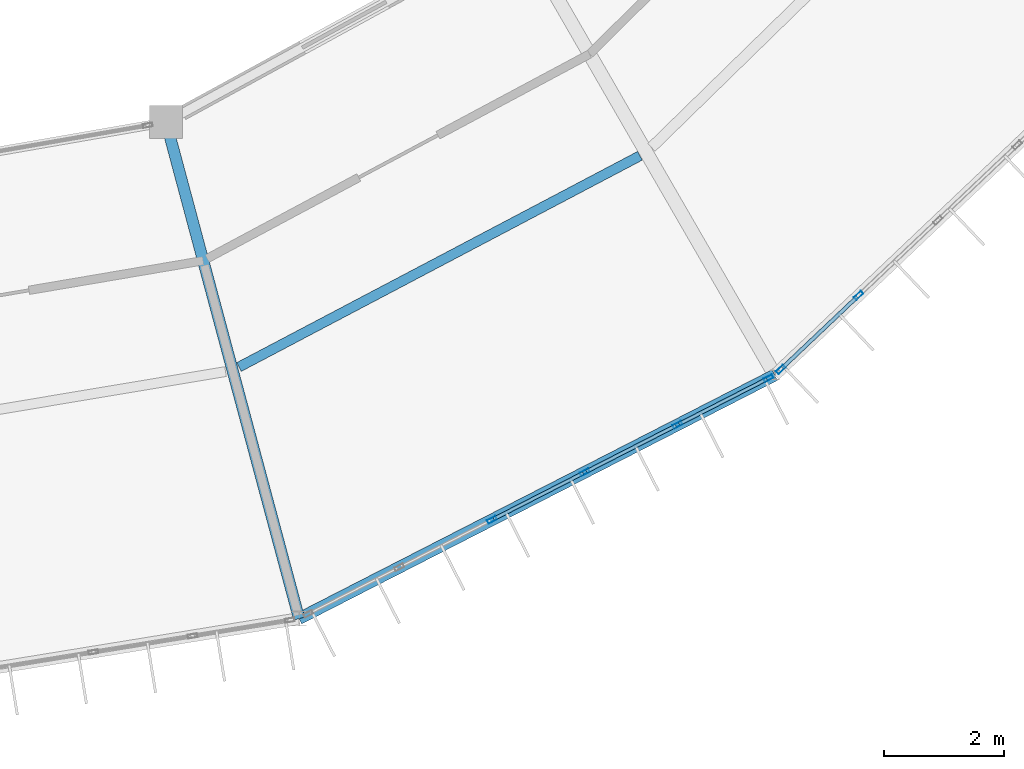
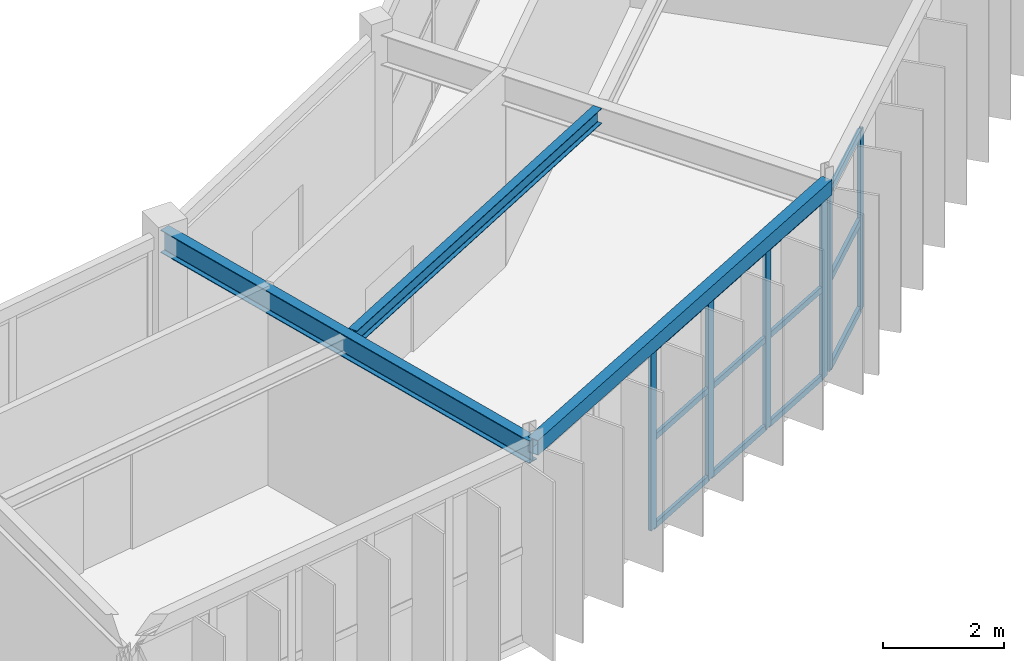
# One storey, part 42 of 130: 18 members, 3 beams, 2 elements without a shape of their own.
"""IFC4 building model written with IfcOpenShell, lengths in metres."""

from ifc_helpers import new_model, si_unit, direction, frame, origin, origin_2d, place, context, subcontext, project, spatial, hollow_rectangle, i_section, extrude, material, material_profile, profile_set, type_object, element, aggregate, save


model = new_model("IFC4")

# Units and contexts
model_context = context("Model", 3, precision=1e-05, world=origin(), true_north=direction((0.0, 1.0)))
body_context = subcontext(model_context, "Body", "Model", "MODEL_VIEW")
ifc_project = project(units=[si_unit("LENGTHUNIT", "METRE"), si_unit("AREAUNIT", "SQUARE_METRE"), si_unit("VOLUMEUNIT", "CUBIC_METRE"), si_unit("PLANEANGLEUNIT", "RADIAN"), si_unit("MASSUNIT", "GRAM", prefix="KILO")], contexts=[model_context])

# Site, building, storey
site_placement = place(None, origin())
site = spatial("IfcSite", under=ifc_project, at=site_placement, CompositionType="ELEMENT")
building_placement = place(site_placement, origin())
building = spatial("IfcBuilding", under=site, at=building_placement, Name="Karori Crest Natural Sciences Institute", CompositionType="ELEMENT")
storey_placement = place(building_placement, frame((0.0, 0.0, 17.5)))
storey = spatial("IfcBuildingStorey", under=building, at=storey_placement, Name="L04", CompositionType="ELEMENT", Elevation=17.5)

# Beams
ifc_material_1 = material(Name="Structural steel AS/NZS 3679.1 Grade 350", Category="steel")
ifc_material_profile_1 = material_profile(ifc_material_1, i_section(OverallWidth=0.19091796875, OverallDepth=0.4599609375, WebThickness=0.010009765625, FlangeThickness=0.01611328125, FilletRadius=0.010986328125, at=origin_2d()), Name="460UB82.1")
ifc_profile_set_1 = profile_set([ifc_material_profile_1], Name="Structural steel AS/NZS 3679.1 Grade 350")
beam_type_1 = type_object("IfcBeamType", Name="BT-06", PredefinedType="BEAM", material=ifc_profile_set_1)
beam_1_placement = place(storey_placement, frame((72.715087890625, 18.797119140625, 3.7099609375), z_axis=(0.258819806009, -0.965925622404, 0.0), x_axis=(0.965925622404, 0.258819806009, 0.0)))
element("IfcBeam", 1, at=beam_1_placement, inside=storey, type_object=beam_type_1, Name="Beam B-0524", PredefinedType="BEAM", context=body_context, shape_type="SweptSolid", body=[
    extrude(i_section(OverallWidth=0.19091796875, OverallDepth=0.4599609375, WebThickness=0.010009765625, FlangeThickness=0.01611328125, FilletRadius=0.010986328125, at=origin_2d()), origin(), (0.0, 0.0, 1.0), 8.599853515625),
])
ifc_material_profile_2 = material_profile(ifc_material_1, i_section(OverallWidth=0.166015625, OverallDepth=0.306884765625, WebThickness=0.006591796875, FlangeThickness=0.01171875, FilletRadius=0.010986328125, at=origin_2d()), Name="310UB46.2")
ifc_profile_set_2 = profile_set([ifc_material_profile_2], Name="Structural steel AS/NZS 3679.1 Grade 350")
beam_type_2 = type_object("IfcBeamType", Name="BT-09", PredefinedType="BEAM", material=ifc_profile_set_2)
beam_2_placement = place(storey_placement, frame((73.934326171875, 14.69970703125, 3.78662109375), z_axis=(0.884748465601, 0.466068828197, 0.0), x_axis=(-0.466068828197, 0.884748465601, 0.0)))
element("IfcBeam", 2, at=beam_2_placement, inside=storey, type_object=beam_type_2, Name="Beam B-0525", PredefinedType="BEAM", context=body_context, shape_type="SweptSolid", body=[
    extrude(i_section(OverallWidth=0.166015625, OverallDepth=0.306884765625, WebThickness=0.006591796875, FlangeThickness=0.01171875, FilletRadius=0.010986328125, at=origin_2d()), origin(), (0.0, 0.0, 1.0), 7.58349609375),
])
ifc_material_2 = material(Name="Hollow structural steel AS/NZS 1163 Grade C350", Category="steel")
ifc_material_profile_3 = material_profile(ifc_material_2, hollow_rectangle(XDim=0.199951171875, YDim=0.300048828125, WallThickness=0.010009765625, at=origin_2d()), Name="RHS300x200x10")
ifc_profile_set_3 = profile_set([ifc_material_profile_3], Name="Hollow structural steel AS/NZS 1163 Grade C350")
beam_type_3 = type_object("IfcBeamType", Name="BT-15", PredefinedType="SPANDREL", material=ifc_profile_set_3)
beam_3_placement = place(storey_placement, frame((74.94091796875, 10.490234375, 3.7900390625), z_axis=(0.890071733872, 0.455820478436, 0.0), x_axis=(-0.455820478436, 0.890071733872, 0.0)))
element("IfcBeam", 3, at=beam_3_placement, inside=storey, type_object=beam_type_3, Name="Beam B-0522", PredefinedType="SPANDREL", context=body_context, shape_type="SweptSolid", body=[
    extrude(hollow_rectangle(XDim=0.199951171875, YDim=0.300048828125, WallThickness=0.010009765625, at=origin_2d()), origin(), (0.0, 0.0, 1.0), 8.94189453125),
])

# Curtain wall, members
ifc_material_3 = material(Name="Anodised architectural aluminium 6063-T6", Category="aluminium")
curtain_wall_type_1 = type_object("IfcCurtainWallType", Name="CWT-10", PredefinedType="NOTDEFINED", material=ifc_material_3)
curtain_wall_1_placement = place(storey_placement, origin())
curtain_wall_1 = element("IfcCurtainWall", 4, at=curtain_wall_1_placement, inside=storey, type_object=curtain_wall_type_1, Name="Curtain wall CW-0165", PredefinedType="NOTDEFINED")
ifc_material_profile_4 = material_profile(ifc_material_3, hollow_rectangle(XDim=0.06494140625, YDim=0.159912109375, WallThickness=0.00390625, at=origin_2d()), Name="CWM160x65x4")
ifc_profile_set_4 = profile_set([ifc_material_profile_4], Name="Anodised architectural aluminium 6063-T6")
member_type_1 = type_object("IfcMemberType", Name="CWM-01", PredefinedType="MULLION", material=ifc_profile_set_4)
member_1_placement = place(storey_placement, frame((82.7958984375, 14.512939453125, 0.0), z_axis=(0.0, 0.0, 1.0), x_axis=(0.455828878252, -0.890067432138, 0.0)))
member_1 = element("IfcMember", 5, at=member_1_placement, type_object=member_type_1, Name="CW-0165 mullion 1", PredefinedType="MULLION", context=body_context, shape_type="SweptSolid", body=[
    extrude(hollow_rectangle(XDim=0.06494140625, YDim=0.159912109375, WallThickness=0.00390625, at=origin_2d()), origin(), (0.0, 0.0, 1.0), 3.625),
])
member_2_placement = place(storey_placement, frame((81.273193359375, 13.73291015625, 0.0), z_axis=(0.0, 0.0, 1.0), x_axis=(0.455828878252, -0.890067432138, 0.0)))
member_2 = element("IfcMember", 6, at=member_2_placement, type_object=member_type_1, Name="CW-0165 mullion 2", PredefinedType="MULLION", context=body_context, shape_type="SweptSolid", body=[
    extrude(hollow_rectangle(XDim=0.06494140625, YDim=0.159912109375, WallThickness=0.00390625, at=origin_2d()), origin(), (0.0, 0.0, 1.0), 3.625),
])
member_3_placement = place(storey_placement, frame((79.721435546875, 12.938232421875, 0.0), z_axis=(0.0, 0.0, 1.0), x_axis=(0.455828878252, -0.890067432138, 0.0)))
member_3 = element("IfcMember", 7, at=member_3_placement, type_object=member_type_1, Name="CW-0165 mullion 3", PredefinedType="MULLION", context=body_context, shape_type="SweptSolid", body=[
    extrude(hollow_rectangle(XDim=0.06494140625, YDim=0.159912109375, WallThickness=0.00390625, at=origin_2d()), origin(), (0.0, 0.0, 1.0), 3.625),
])
member_4_placement = place(storey_placement, frame((78.169677734375, 12.1435546875, 0.0), z_axis=(0.0, 0.0, 1.0), x_axis=(0.455828878252, -0.890067432138, 0.0)))
member_4 = element("IfcMember", 8, at=member_4_placement, type_object=member_type_1, Name="CW-0165 mullion 4", PredefinedType="MULLION", context=body_context, shape_type="SweptSolid", body=[
    extrude(hollow_rectangle(XDim=0.06494140625, YDim=0.159912109375, WallThickness=0.00390625, at=origin_2d()), origin(), (0.0, 0.0, 1.0), 3.625),
])

curtain_wall_type_2 = type_object("IfcCurtainWallType", Name="CWT-01", PredefinedType="NOTDEFINED", material=ifc_material_3)
curtain_wall_2_placement = place(storey_placement, origin())
curtain_wall_2 = element("IfcCurtainWall", 9, at=curtain_wall_2_placement, inside=storey, type_object=curtain_wall_type_2, Name="Curtain wall CW-0166", PredefinedType="NOTDEFINED")
member_5_placement = place(storey_placement, frame((84.302001953125, 15.896240234375, 0.0), z_axis=(0.0, 0.0, 1.0), x_axis=(0.688250542104, -0.725473081026, 0.0)))
member_5 = element("IfcMember", 10, at=member_5_placement, type_object=member_type_1, Name="CW-0166 mullion 5", PredefinedType="MULLION", context=body_context, shape_type="SweptSolid", body=[
    extrude(hollow_rectangle(XDim=0.06494140625, YDim=0.159912109375, WallThickness=0.00390625, at=origin_2d()), origin(), (0.0, 0.0, 1.0), 3.625),
])
member_6_placement = place(storey_placement, frame((82.9990234375, 14.66015625, 0.0), z_axis=(0.0, 0.0, 1.0), x_axis=(0.688250542104, -0.725473081026, 0.0)))
member_6 = element("IfcMember", 11, at=member_6_placement, type_object=member_type_1, Name="CW-0166 mullion 6", PredefinedType="MULLION", context=body_context, shape_type="SweptSolid", body=[
    extrude(hollow_rectangle(XDim=0.06494140625, YDim=0.159912109375, WallThickness=0.00390625, at=origin_2d()), origin(), (0.0, 0.0, 1.0), 3.625),
])

# Member
ifc_material_profile_5 = material_profile(ifc_material_3, hollow_rectangle(XDim=0.06005859375, YDim=0.1201171875, WallThickness=0.00390625, at=origin_2d()), Name="CWT120x60x4")
ifc_profile_set_5 = profile_set([ifc_material_profile_5], Name="Anodised architectural aluminium 6063-T6")
member_type_2 = type_object("IfcMemberType", Name="CWT-TR1", PredefinedType="USERDEFINED", material=ifc_profile_set_5)
member_7_placement = place(storey_placement, frame((82.766845703125, 14.498046875, 0.030029296875), z_axis=(-0.890053640935, -0.455855806432, 0.0), x_axis=(0.455855806432, -0.890053640935, 0.0)))
member_7 = element("IfcMember", 12, at=member_7_placement, type_object=member_type_2, Name="CW-0165 transom 1.1", ObjectType="TRANSOM", PredefinedType="USERDEFINED", context=body_context, shape_type="SweptSolid", body=[
    extrude(hollow_rectangle(XDim=0.06005859375, YDim=0.1201171875, WallThickness=0.00390625, at=origin_2d()), origin(), (0.0, 0.0, 1.0), 1.645751953125),
])

member_8_placement = place(storey_placement, frame((82.766845703125, 14.498046875, 1.8125), z_axis=(-0.890053640935, -0.455855806432, 0.0), x_axis=(0.455855806432, -0.890053640935, 0.0)))
member_8 = element("IfcMember", 13, at=member_8_placement, type_object=member_type_2, Name="CW-0165 transom 1.2", ObjectType="TRANSOM", PredefinedType="USERDEFINED", context=body_context, shape_type="SweptSolid", body=[
    extrude(hollow_rectangle(XDim=0.06005859375, YDim=0.1201171875, WallThickness=0.00390625, at=origin_2d()), origin(), (0.0, 0.0, 1.0), 1.645751953125),
])

member_9_placement = place(storey_placement, frame((82.766845703125, 14.498046875, 3.594970703125), z_axis=(-0.890053640935, -0.455855806432, 0.0), x_axis=(0.455855806432, -0.890053640935, 0.0)))
member_9 = element("IfcMember", 14, at=member_9_placement, type_object=member_type_2, Name="CW-0165 transom 1.3", ObjectType="TRANSOM", PredefinedType="USERDEFINED", context=body_context, shape_type="SweptSolid", body=[
    extrude(hollow_rectangle(XDim=0.06005859375, YDim=0.1201171875, WallThickness=0.00390625, at=origin_2d()), origin(), (0.0, 0.0, 1.0), 1.645751953125),
])

member_10_placement = place(storey_placement, frame((81.244140625, 13.71826171875, 0.030029296875), z_axis=(-0.890050562189, -0.455861817601, 0.0), x_axis=(0.455861817601, -0.890050562189, 0.0)))
member_10 = element("IfcMember", 15, at=member_10_placement, type_object=member_type_2, Name="CW-0165 transom 2.1", ObjectType="TRANSOM", PredefinedType="USERDEFINED", context=body_context, shape_type="SweptSolid", body=[
    extrude(hollow_rectangle(XDim=0.06005859375, YDim=0.1201171875, WallThickness=0.00390625, at=origin_2d()), origin(), (0.0, 0.0, 1.0), 1.678466796875),
])

member_11_placement = place(storey_placement, frame((81.244140625, 13.71826171875, 1.8125), z_axis=(-0.890050562189, -0.455861817601, 0.0), x_axis=(0.455861817601, -0.890050562189, 0.0)))
member_11 = element("IfcMember", 16, at=member_11_placement, type_object=member_type_2, Name="CW-0165 transom 2.2", ObjectType="TRANSOM", PredefinedType="USERDEFINED", context=body_context, shape_type="SweptSolid", body=[
    extrude(hollow_rectangle(XDim=0.06005859375, YDim=0.1201171875, WallThickness=0.00390625, at=origin_2d()), origin(), (0.0, 0.0, 1.0), 1.678466796875),
])

member_12_placement = place(storey_placement, frame((81.244140625, 13.71826171875, 3.594970703125), z_axis=(-0.890050562189, -0.455861817601, 0.0), x_axis=(0.455861817601, -0.890050562189, 0.0)))
member_12 = element("IfcMember", 17, at=member_12_placement, type_object=member_type_2, Name="CW-0165 transom 2.3", ObjectType="TRANSOM", PredefinedType="USERDEFINED", context=body_context, shape_type="SweptSolid", body=[
    extrude(hollow_rectangle(XDim=0.06005859375, YDim=0.1201171875, WallThickness=0.00390625, at=origin_2d()), origin(), (0.0, 0.0, 1.0), 1.678466796875),
])

member_13_placement = place(storey_placement, frame((79.6923828125, 12.923583984375, 0.030029296875), z_axis=(-0.890050562189, -0.455861817601, 0.0), x_axis=(0.455861817601, -0.890050562189, 0.0)))
member_13 = element("IfcMember", 18, at=member_13_placement, type_object=member_type_2, Name="CW-0165 transom 3.1", ObjectType="TRANSOM", PredefinedType="USERDEFINED", context=body_context, shape_type="SweptSolid", body=[
    extrude(hollow_rectangle(XDim=0.06005859375, YDim=0.1201171875, WallThickness=0.00390625, at=origin_2d()), origin(), (0.0, 0.0, 1.0), 1.678466796875),
])

member_14_placement = place(storey_placement, frame((79.6923828125, 12.923583984375, 1.8125), z_axis=(-0.890050562189, -0.455861817601, 0.0), x_axis=(0.455861817601, -0.890050562189, 0.0)))
member_14 = element("IfcMember", 19, at=member_14_placement, type_object=member_type_2, Name="CW-0165 transom 3.2", ObjectType="TRANSOM", PredefinedType="USERDEFINED", context=body_context, shape_type="SweptSolid", body=[
    extrude(hollow_rectangle(XDim=0.06005859375, YDim=0.1201171875, WallThickness=0.00390625, at=origin_2d()), origin(), (0.0, 0.0, 1.0), 1.678466796875),
])

member_15_placement = place(storey_placement, frame((79.6923828125, 12.923583984375, 3.594970703125), z_axis=(-0.890050562189, -0.455861817601, 0.0), x_axis=(0.455861817601, -0.890050562189, 0.0)))
member_15 = element("IfcMember", 20, at=member_15_placement, type_object=member_type_2, Name="CW-0165 transom 3.3", ObjectType="TRANSOM", PredefinedType="USERDEFINED", context=body_context, shape_type="SweptSolid", body=[
    extrude(hollow_rectangle(XDim=0.06005859375, YDim=0.1201171875, WallThickness=0.00390625, at=origin_2d()), origin(), (0.0, 0.0, 1.0), 1.678466796875),
])

aggregate(curtain_wall_1, [member_1, member_2, member_3, member_4, member_7, member_8, member_9, member_10, member_11, member_12, member_13, member_14, member_15])

ifc_material_profile_6 = material_profile(ifc_material_3, hollow_rectangle(XDim=0.06494140625, YDim=0.14990234375, WallThickness=0.00390625, at=origin_2d()), Name="CWT150x65x4")
ifc_profile_set_6 = profile_set([ifc_material_profile_6], Name="Anodised architectural aluminium 6063-T6")
member_type_3 = type_object("IfcMemberType", Name="CWT-TR2", PredefinedType="USERDEFINED", material=ifc_profile_set_6)
member_16_placement = place(storey_placement, frame((84.2783203125, 15.873779296875, 0.032470703125), z_axis=(-0.725481758098, -0.688241395636, 0.0), x_axis=(0.688241395636, -0.725481758098, 0.0)))
member_16 = element("IfcMember", 21, at=member_16_placement, type_object=member_type_3, Name="CW-0166 transom 5.1", ObjectType="TRANSOM", PredefinedType="USERDEFINED", context=body_context, shape_type="SweptSolid", body=[
    extrude(hollow_rectangle(XDim=0.06494140625, YDim=0.14990234375, WallThickness=0.00390625, at=origin_2d()), origin(), (0.0, 0.0, 1.0), 1.730712890625),
])

member_17_placement = place(storey_placement, frame((84.2783203125, 15.873779296875, 1.8125), z_axis=(-0.725481758098, -0.688241395636, 0.0), x_axis=(0.688241395636, -0.725481758098, 0.0)))
member_17 = element("IfcMember", 22, at=member_17_placement, type_object=member_type_3, Name="CW-0166 transom 5.2", ObjectType="TRANSOM", PredefinedType="USERDEFINED", context=body_context, shape_type="SweptSolid", body=[
    extrude(hollow_rectangle(XDim=0.06494140625, YDim=0.14990234375, WallThickness=0.00390625, at=origin_2d()), origin(), (0.0, 0.0, 1.0), 1.730712890625),
])

member_18_placement = place(storey_placement, frame((84.2783203125, 15.873779296875, 3.592529296875), z_axis=(-0.725481758098, -0.688241395636, 0.0), x_axis=(0.688241395636, -0.725481758098, 0.0)))
member_18 = element("IfcMember", 23, at=member_18_placement, type_object=member_type_3, Name="CW-0166 transom 5.3", ObjectType="TRANSOM", PredefinedType="USERDEFINED", context=body_context, shape_type="SweptSolid", body=[
    extrude(hollow_rectangle(XDim=0.06494140625, YDim=0.14990234375, WallThickness=0.00390625, at=origin_2d()), origin(), (0.0, 0.0, 1.0), 1.730712890625),
])

aggregate(curtain_wall_2, [member_5, member_6, member_16, member_17, member_18])

save(model, "model.ifc")
